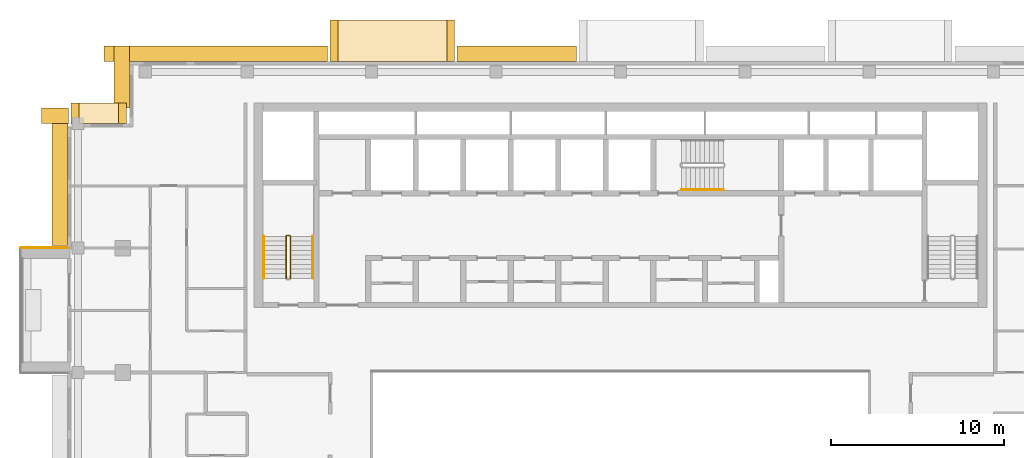
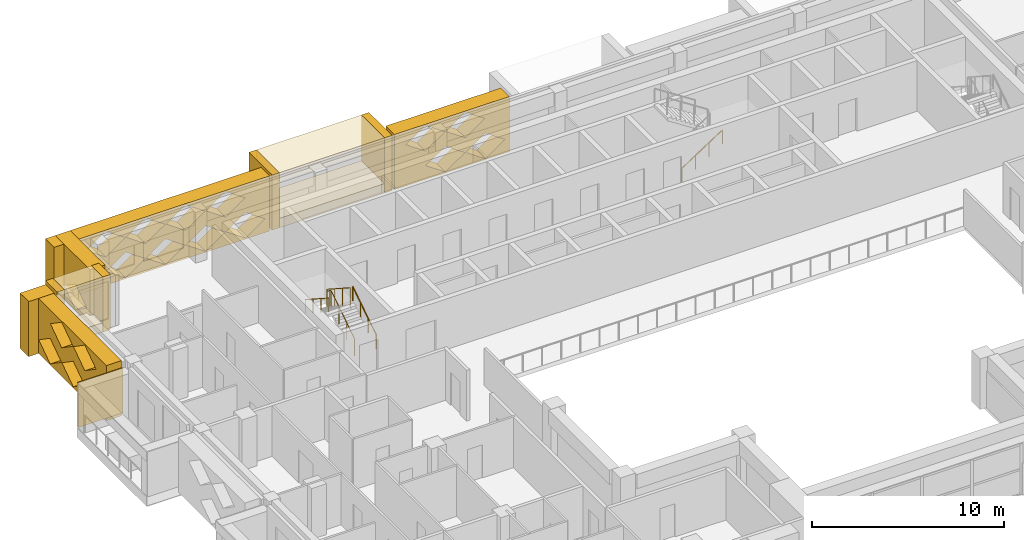
# One storey, part 17 of 19: 14 coverings, 4 railings.
"""IFC4 building model written with IfcOpenShell, lengths in metres."""

from ifc_helpers import new_model, si_unit, direction, frame, origin, origin_2d, place, context, subcontext, project, spatial, polyline, circle, outline, extrude, material, layer, layer_set, type_object, element, save


model = new_model("IFC4")

# Units and contexts
model_context = context("Model", 3, precision=1e-05, world=origin(), true_north=direction((0.0, 1.0)))
body_context = subcontext(model_context, "Body", "Model", "MODEL_VIEW")
ifc_project = project(units=[si_unit("LENGTHUNIT", "METRE"), si_unit("AREAUNIT", "SQUARE_METRE"), si_unit("VOLUMEUNIT", "CUBIC_METRE"), si_unit("PLANEANGLEUNIT", "RADIAN"), si_unit("MASSUNIT", "GRAM", prefix="KILO")], contexts=[model_context])

# Site, building, storey
site_placement = place(None, origin())
site = spatial("IfcSite", under=ifc_project, at=site_placement, CompositionType="ELEMENT")
building_placement = place(site_placement, origin())
building = spatial("IfcBuilding", under=site, at=building_placement, Name="Saffron Iwan Residences", CompositionType="ELEMENT")
storey_placement = place(building_placement, frame((0.0, 0.0, 225.5)))
storey = spatial("IfcBuildingStorey", under=building, at=storey_placement, Name="L60", CompositionType="ELEMENT", Elevation=225.5)

# Coverings
ifc_material_1 = material(Name="Precast concrete C40/50 white painted", Category="concrete")
ifc_layer = layer(ifc_material_1, 0.050048828125)
ifc_layer_set = layer_set([ifc_layer], Name="Precast concrete C40/50 white painted")
covering_type_1 = type_object("IfcCoveringType", Name="FRAME SKIN PRECAST WHITE 50", PredefinedType="CLADDING", material=ifc_layer_set)
covering_1_placement = place(storey_placement, origin())
element("IfcCovering", 1, at=covering_1_placement, inside=storey, type_object=covering_type_1, Name="Frame skin fin L60 F8-0a", PredefinedType="CLADDING", context=body_context, shape_type="SweptSolid", body=[
    extrude(outline(polyline([(15.699951171875, 69.64990234375), (15.699951171875, 69.60009765625), (18.39990234375, 69.60009765625), (18.39990234375, 69.64990234375), (15.699951171875, 69.64990234375)])), origin(), (0.0, 0.0, 1.0), 2.85009765625),
])
ifc_material_2 = material(Name="Precast concrete C40/50", Category="concrete")
covering_type_2 = type_object("IfcCoveringType", Name="OUTER SKIN LATTICE SCREEN", PredefinedType="CLADDING", material=ifc_material_2)
covering_2_placement = place(storey_placement, frame((47.85009765625, 80.39990234375, -0.280029296875), z_axis=(0.0, 1.0, 0.0), x_axis=(-1.0, 0.0, 0.0)))
element("IfcCovering", 2, at=covering_2_placement, inside=storey, type_object=covering_type_2, Name="OUTER SKIN lattice screen L60 F5.2", PredefinedType="CLADDING", context=body_context, shape_type="SweptSolid", body=[
    extrude(outline(polyline([(0.0, 0.0), (6.89990234375, 0.0), (6.89990234375, 3.5), (0.0, 3.5), (0.0, 0.0)]), holes=[polyline([(0.27001953125, 0.875), (1.449951171875, 0.06005859375), (2.6298828125, 0.875), (1.449951171875, 1.68994140625), (0.27001953125, 0.875)]), polyline([(2.669921875, 0.875), (3.85009765625, 0.06005859375), (5.030029296875, 0.875), (3.85009765625, 1.68994140625), (2.669921875, 0.875)]), polyline([(1.469970703125, 2.625), (2.64990234375, 1.81005859375), (3.830078125, 2.625), (2.64990234375, 3.43994140625), (1.469970703125, 2.625)]), polyline([(3.8701171875, 2.625), (5.050048828125, 1.81005859375), (6.22998046875, 2.625), (5.050048828125, 3.43994140625), (3.8701171875, 2.625)])]), origin(), (0.0, 0.0, 1.0), 0.900146484375),
])
covering_3_placement = place(storey_placement, frame((33.449951171875, 80.39990234375, -0.280029296875), z_axis=(0.0, 1.0, 0.0), x_axis=(-1.0, 0.0, 0.0)))
element("IfcCovering", 3, at=covering_3_placement, inside=storey, type_object=covering_type_2, Name="OUTER SKIN lattice screen L60 F5.3", PredefinedType="CLADDING", context=body_context, shape_type="SweptSolid", body=[
    extrude(outline(polyline([(0.0, 0.0), (12.949951171875, 0.0), (12.949951171875, 3.5), (0.0, 3.5), (0.0, 0.0)]), holes=[polyline([(0.27001953125, 0.875), (1.449951171875, 0.06005859375), (2.6298828125, 0.875), (1.449951171875, 1.68994140625), (0.27001953125, 0.875)]), polyline([(2.669921875, 0.875), (3.85009765625, 0.06005859375), (5.030029296875, 0.875), (3.85009765625, 1.68994140625), (2.669921875, 0.875)]), polyline([(5.070068359375, 0.875), (6.25, 0.06005859375), (7.429931640625, 0.875), (6.25, 1.68994140625), (5.070068359375, 0.875)]), polyline([(7.469970703125, 0.875), (8.64990234375, 0.06005859375), (9.830078125, 0.875), (8.64990234375, 1.68994140625), (7.469970703125, 0.875)]), polyline([(9.8701171875, 0.875), (11.050048828125, 0.06005859375), (12.22998046875, 0.875), (11.050048828125, 1.68994140625), (9.8701171875, 0.875)]), polyline([(1.469970703125, 2.625), (2.64990234375, 1.81005859375), (3.830078125, 2.625), (2.64990234375, 3.43994140625), (1.469970703125, 2.625)]), polyline([(3.8701171875, 2.625), (5.050048828125, 1.81005859375), (6.22998046875, 2.625), (5.050048828125, 3.43994140625), (3.8701171875, 2.625)]), polyline([(6.27001953125, 2.625), (7.449951171875, 1.81005859375), (8.6298828125, 2.625), (7.449951171875, 3.43994140625), (6.27001953125, 2.625)]), polyline([(8.669921875, 2.625), (9.85009765625, 1.81005859375), (11.030029296875, 2.625), (9.85009765625, 3.43994140625), (8.669921875, 2.625)])]), origin(), (0.0, 0.0, 1.0), 0.900146484375),
])
covering_4_placement = place(storey_placement, frame((22.0, 81.300048828125, -0.280029296875), z_axis=(-1.0, 0.0, 0.0), x_axis=(0.0, -1.0, 0.0)))
element("IfcCovering", 4, at=covering_4_placement, inside=storey, type_object=covering_type_2, Name="OUTER SKIN lattice screen L60 F6.0", PredefinedType="CLADDING", context=body_context, shape_type="SweptSolid", body=[
    extrude(outline(polyline([(0.0, 0.0), (3.60009765625, 0.0), (3.60009765625, 3.5), (0.0, 3.5), (0.0, 0.0)]), holes=[polyline([(0.919921875, 0.875), (2.10009765625, 0.06005859375), (3.280029296875, 0.875), (2.10009765625, 1.68994140625), (0.919921875, 0.875)])]), origin(), (0.0, 0.0, 1.0), 0.89990234375),
])
covering_5_placement = place(storey_placement, frame((18.449951171875, 76.800048828125, -0.280029296875), z_axis=(0.0, 1.0, 0.0), x_axis=(-1.0, 0.0, 0.0)))
element("IfcCovering", 5, at=covering_5_placement, inside=storey, type_object=covering_type_2, Name="OUTER SKIN lattice screen L60 F7.0", PredefinedType="CLADDING", context=body_context, shape_type="SweptSolid", body=[
    extrude(outline(polyline([(0.0, 0.0), (1.550048828125, 0.0), (1.550048828125, 3.5), (0.0, 3.5), (0.0, 0.0)])), origin(), (0.0, 0.0, 1.0), 0.89990234375),
])
covering_6_placement = place(storey_placement, frame((18.39990234375, 77.699951171875, -0.280029296875), z_axis=(-1.0, 0.0, 0.0), x_axis=(0.0, -1.0, 0.0)))
element("IfcCovering", 6, at=covering_6_placement, inside=storey, type_object=covering_type_2, Name="OUTER SKIN lattice screen L60 F8.0", PredefinedType="CLADDING", context=body_context, shape_type="SweptSolid", body=[
    extrude(outline(polyline([(0.0, 0.0), (7.949951171875, 0.0), (7.949951171875, 3.5), (0.0, 3.5), (0.0, 0.0)]), holes=[polyline([(0.919921875, 0.875), (2.10009765625, 0.06005859375), (3.280029296875, 0.875), (2.10009765625, 1.68994140625), (0.919921875, 0.875)]), polyline([(3.320068359375, 0.875), (4.5, 0.06005859375), (5.679931640625, 0.875), (4.5, 1.68994140625), (3.320068359375, 0.875)]), polyline([(2.1201171875, 2.625), (3.300048828125, 1.81005859375), (4.47998046875, 2.625), (3.300048828125, 3.43994140625), (2.1201171875, 2.625)]), polyline([(4.52001953125, 2.625), (5.699951171875, 1.81005859375), (6.8798828125, 2.625), (5.699951171875, 3.43994140625), (4.52001953125, 2.625)])]), origin(), (0.0, 0.0, 1.0), 0.89990234375),
])

# Railings
ifc_material_3 = material(Name="Steel S355", Category="steel")
railing_type_1 = type_object("IfcRailingType", Name="Stair guard 1100", PredefinedType="GUARDRAIL", material=ifc_material_3)
railing_1_placement = place(storey_placement, frame((31.300048828125, 67.85009765625, 0.175048828125)))
element("IfcRailing", 7, at=railing_1_placement, inside=storey, type_object=railing_type_1, Name="L60 ST-W stair guard 1", PredefinedType="GUARDRAIL", context=body_context, shape_type="SweptSolid", body=[
    extrude(circle(Radius=0.02392578125, at=origin_2d()), frame((0.0, 0.0, 1.076171875), z_axis=(0.0, 0.839153699163, 0.543894354798), x_axis=(-1.0, 0.0, 0.0)), (0.0, 0.0, 1.0), 2.895751953125),
    extrude(circle(Radius=0.02392578125, at=origin_2d()), frame((0.0, 2.429931640625, 2.65087890625), z_axis=(-0.707106781187, 0.707106781187, 0.0), x_axis=(-0.707106781187, -0.707106781187, 0.0)), (0.0, 0.0, 1.0), 0.07080078125),
    extrude(circle(Radius=0.02392578125, at=origin_2d()), frame((-0.050048828125, 2.47998046875, 2.65087890625), z_axis=(-1.0, 0.0, 0.0), x_axis=(0.0, -1.0, 0.0)), (0.0, 0.0, 1.0), 0.14990234375),
    extrude(circle(Radius=0.02392578125, at=origin_2d()), frame((-0.199951171875, 2.47998046875, 2.65087890625), z_axis=(-0.265065253269, -0.265065253269, 0.927081885822), x_axis=(0.707106781187, -0.707106781187, 0.0)), (0.0, 0.0, 1.0), 0.188720703125),
    extrude(circle(Radius=0.02392578125, at=origin_2d()), frame((-0.25, 2.429931640625, 2.826171875), z_axis=(0.0, -0.839153699163, 0.543894354798), x_axis=(1.0, 0.0, 0.0)), (0.0, 0.0, 1.0), 2.895751953125),
    extrude(circle(Radius=0.02099609375, at=origin_2d()), origin(), (0.0, 0.0, 1.0), 1.052001953125),
    extrude(circle(Radius=0.02099609375, at=origin_2d()), frame((0.0, 0.81005859375, 0.52490234375)), (0.0, 0.0, 1.0), 1.052001953125),
    extrude(circle(Radius=0.02099609375, at=origin_2d()), frame((0.0, 1.619873046875, 1.050048828125)), (0.0, 0.0, 1.0), 1.052001953125),
    extrude(circle(Radius=0.02099609375, at=origin_2d()), frame((0.0, 2.429931640625, 1.574951171875)), (0.0, 0.0, 1.0), 1.052001953125),
    extrude(circle(Radius=0.02099609375, at=origin_2d()), frame((-0.050048828125, 2.47998046875, 1.574951171875)), (0.0, 0.0, 1.0), 1.052001953125),
    extrude(circle(Radius=0.02099609375, at=origin_2d()), frame((-0.199951171875, 2.47998046875, 1.574951171875)), (0.0, 0.0, 1.0), 1.052001953125),
    extrude(circle(Radius=0.02099609375, at=origin_2d()), frame((-0.25, 2.429931640625, 1.75)), (0.0, 0.0, 1.0), 1.052001953125),
    extrude(circle(Radius=0.02099609375, at=origin_2d()), frame((-0.25, 1.619873046875, 2.27490234375)), (0.0, 0.0, 1.0), 1.052001953125),
    extrude(circle(Radius=0.02099609375, at=origin_2d()), frame((-0.25, 0.81005859375, 2.800048828125)), (0.0, 0.0, 1.0), 1.052001953125),
    extrude(circle(Radius=0.02099609375, at=origin_2d()), frame((-0.25, 0.0, 3.324951171875)), (0.0, 0.0, 1.0), 1.052001953125),
])
ifc_material_4 = material(Name="Stainless steel 316", Category="steel")
railing_type_2 = type_object("IfcRailingType", Name="Stair handrail 900", PredefinedType="HANDRAIL", material=ifc_material_4)
railing_2_placement = place(storey_placement, frame((32.60009765625, 67.85009765625, 0.175048828125)))
element("IfcRailing", 8, at=railing_2_placement, inside=storey, type_object=railing_type_2, Name="L60 ST-W stair handrail 1", PredefinedType="HANDRAIL", context=body_context, shape_type="SweptSolid", body=[
    extrude(circle(Radius=0.02392578125, at=origin_2d()), frame((0.0, 0.0, 0.8759765625), z_axis=(0.0, 0.839153699163, 0.543894354798), x_axis=(-1.0, 0.0, 0.0)), (0.0, 0.0, 1.0), 2.895751953125),
    extrude(circle(Radius=0.02099609375, at=origin_2d()), origin(), (0.0, 0.0, 1.0), 0.851806640625),
    extrude(circle(Radius=0.02099609375, at=origin_2d()), frame((0.0, 0.81005859375, 0.52490234375)), (0.0, 0.0, 1.0), 0.851806640625),
    extrude(circle(Radius=0.02099609375, at=origin_2d()), frame((0.0, 1.619873046875, 1.050048828125)), (0.0, 0.0, 1.0), 0.851806640625),
    extrude(circle(Radius=0.02099609375, at=origin_2d()), frame((0.0, 2.429931640625, 1.574951171875)), (0.0, 0.0, 1.0), 0.851806640625),
])
railing_3_placement = place(storey_placement, frame((29.75, 70.280029296875, 1.925048828125)))
element("IfcRailing", 9, at=railing_3_placement, inside=storey, type_object=railing_type_2, Name="L60 ST-W stair handrail 2", PredefinedType="HANDRAIL", context=body_context, shape_type="SweptSolid", body=[
    extrude(circle(Radius=0.02392578125, at=origin_2d()), frame((0.0, 0.0, 0.8759765625), z_axis=(0.0, -0.839153699163, 0.543894354798), x_axis=(1.0, 0.0, 0.0)), (0.0, 0.0, 1.0), 2.895751953125),
    extrude(circle(Radius=0.02099609375, at=origin_2d()), origin(), (0.0, 0.0, 1.0), 0.851806640625),
    extrude(circle(Radius=0.02099609375, at=origin_2d()), frame((0.0, -0.81005859375, 0.52490234375)), (0.0, 0.0, 1.0), 0.851806640625),
    extrude(circle(Radius=0.02099609375, at=origin_2d()), frame((0.0, -1.619873046875, 1.050048828125)), (0.0, 0.0, 1.0), 0.851806640625),
    extrude(circle(Radius=0.02099609375, at=origin_2d()), frame((0.0, -2.429931640625, 1.574951171875)), (0.0, 0.0, 1.0), 0.851806640625),
])
railing_4_placement = place(storey_placement, frame((53.925048828125, 72.97509765625, 0.175048828125)))
element("IfcRailing", 10, at=railing_4_placement, inside=storey, type_object=railing_type_2, Name="L60 ST-C stair handrail 1", PredefinedType="HANDRAIL", context=body_context, shape_type="SweptSolid", body=[
    extrude(circle(Radius=0.02392578125, at=origin_2d()), frame((0.0, 0.0, 0.8759765625), z_axis=(0.839153699163, 0.0, 0.543894354798), x_axis=(0.0, 1.0, 0.0)), (0.0, 0.0, 1.0), 2.895751953125),
    extrude(circle(Radius=0.02099609375, at=origin_2d()), origin(), (0.0, 0.0, 1.0), 0.851806640625),
    extrude(circle(Radius=0.02099609375, at=origin_2d()), frame((0.81005859375, 0.0, 0.52490234375)), (0.0, 0.0, 1.0), 0.851806640625),
    extrude(circle(Radius=0.02099609375, at=origin_2d()), frame((1.619873046875, 0.0, 1.050048828125)), (0.0, 0.0, 1.0), 0.851806640625),
    extrude(circle(Radius=0.02099609375, at=origin_2d()), frame((2.429931640625, 0.0, 1.574951171875)), (0.0, 0.0, 1.0), 0.851806640625),
])

# Coverings
covering_type_3 = type_object("IfcCoveringType", Name="WHITE SUN FRAME PRECAST", PredefinedType="CLADDING", material=ifc_material_1)
for number, where, z_axis, x_axis, name in (
    (11, (40.800048828125, 80.39990234375, -0.280029296875), (0.0, 1.0, 0.0), (-1.0, 0.0, 0.0), "Sun frame L60 F5 38.0a"),
    (12, (34.050048828125, 80.39990234375, -0.280029296875), (0.0, 1.0, 0.0), (-1.0, 0.0, 0.0), "Sun frame L60 F5 38.0b"),
):
    element("IfcCovering", number, at=place(storey_placement, frame(where, z_axis=z_axis, x_axis=x_axis)), inside=storey, type_object=covering_type_3, Name=name, PredefinedType="CLADDING", context=body_context, shape_type="SweptSolid", body=[
        extrude(outline(polyline([(0.0, 0.0), (0.449951171875, 0.0), (0.449951171875, 3.5), (0.0, 3.5), (0.0, 0.0)])), origin(), (0.0, 0.0, 1.0), 2.400146484375),
    ])
for number, where, z_axis, x_axis, name in (
    (13, (40.35009765625, 80.39990234375, 2.6201171875), (0.0, 1.0, 0.0), (-1.0, 0.0, 0.0), "Sun frame L60 F5 38.0h"),
    (14, (40.35009765625, 80.39990234375, -0.280029296875), (0.0, 1.0, 0.0), (-1.0, 0.0, 0.0), "Sun frame L60 F5 38.0s"),
):
    element("IfcCovering", number, at=place(storey_placement, frame(where, z_axis=z_axis, x_axis=x_axis)), inside=storey, type_object=covering_type_3, Name=name, PredefinedType="CLADDING", context=body_context, shape_type="SweptSolid", body=[
        extrude(outline(polyline([(0.0, 0.0), (6.300048828125, 0.0), (6.300048828125, 0.60009765625), (0.0, 0.60009765625), (0.0, 0.0)])), origin(), (0.0, 0.0, 1.0), 2.400146484375),
    ])
for number, where, z_axis, x_axis, name in (
    (15, (21.800048828125, 76.800048828125, -0.280029296875), (0.0, 1.0, 0.0), (-1.0, 0.0, 0.0), "Sun frame L60 F7 0.2a"),
    (16, (19.050048828125, 76.800048828125, -0.280029296875), (0.0, 1.0, 0.0), (-1.0, 0.0, 0.0), "Sun frame L60 F7 0.2b"),
):
    element("IfcCovering", number, at=place(storey_placement, frame(where, z_axis=z_axis, x_axis=x_axis)), inside=storey, type_object=covering_type_3, Name=name, PredefinedType="CLADDING", context=body_context, shape_type="SweptSolid", body=[
        extrude(outline(polyline([(0.0, 0.0), (0.449951171875, 0.0), (0.449951171875, 3.5), (0.0, 3.5), (0.0, 0.0)])), origin(), (0.0, 0.0, 1.0), 1.199951171875),
    ])
for number, where, z_axis, x_axis, name in (
    (17, (21.35009765625, 76.800048828125, 2.6201171875), (0.0, 1.0, 0.0), (-1.0, 0.0, 0.0), "Sun frame L60 F7 0.2h"),
    (18, (21.35009765625, 76.800048828125, -0.280029296875), (0.0, 1.0, 0.0), (-1.0, 0.0, 0.0), "Sun frame L60 F7 0.2s"),
):
    element("IfcCovering", number, at=place(storey_placement, frame(where, z_axis=z_axis, x_axis=x_axis)), inside=storey, type_object=covering_type_3, Name=name, PredefinedType="CLADDING", context=body_context, shape_type="SweptSolid", body=[
        extrude(outline(polyline([(0.0, 0.0), (2.300048828125, 0.0), (2.300048828125, 0.60009765625), (0.0, 0.60009765625), (0.0, 0.0)])), origin(), (0.0, 0.0, 1.0), 1.199951171875),
    ])

save(model, "model.ifc")
